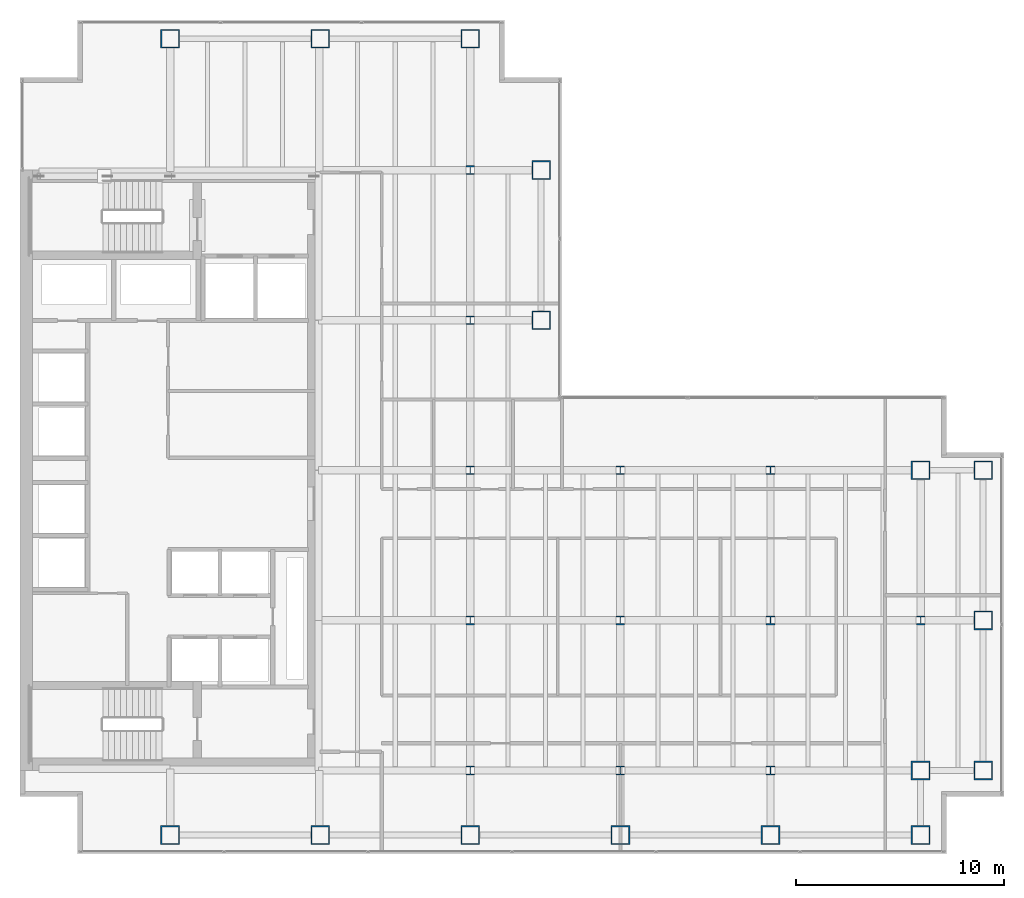
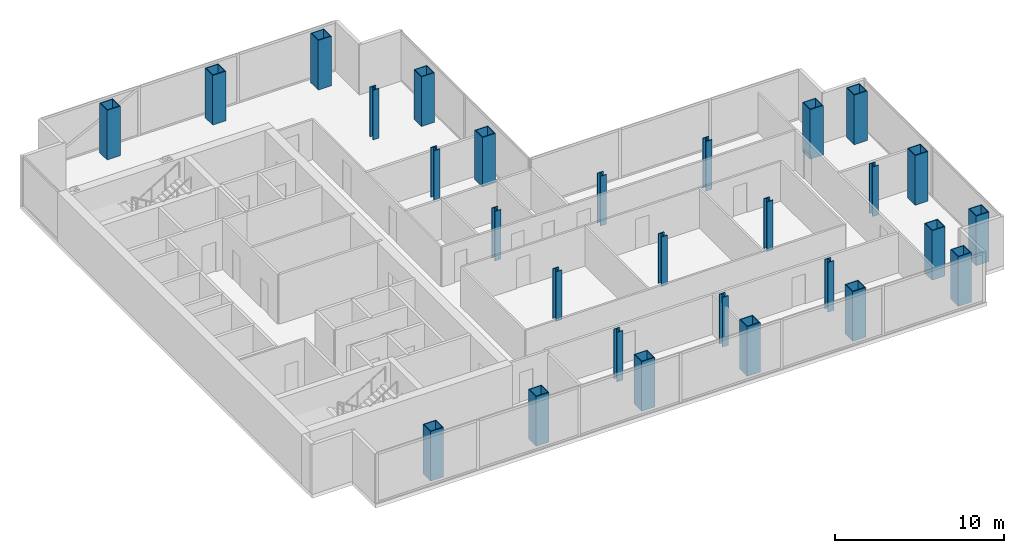
# One storey, part 1 of 23: 28 columns.
"""IFC4 building model written with IfcOpenShell, lengths in metres."""

import ifcopenshell
import ifcopenshell.guid

model = None  # the IFC model being written
_history = None  # IfcOwnerHistory: only IFC2X3 demands one
_inside = {}  # id of a spatial element -> (the spatial element, [elements in it])
_under = {}  # id of a project, library or spatial element -> (it, [spatial elements below it])
_declared = {}  # id of a project -> (the project, [libraries it declares])
_typed = {}  # id of a type object -> (the type object, [elements of that type])
_made_of = {}  # id of a material, layer set ... -> (it, [elements and type objects made of it])


def new_model(schema):
    """Start an empty IFC model of exactly this schema.

    Asked for "IFC4X3", IfcOpenShell would pick the latest addendum, in which some entities
    have other attributes; the version numbers below select the first issue.
    IFC2X3 requires an IfcOwnerHistory on every rooted entity: one is made here for all.
    """
    global model, _history
    if schema == "IFC4X3":
        model = ifcopenshell.file(schema_version=(4, 3, 0, 0))
    else:
        model = ifcopenshell.file(schema=schema)
    _inside.clear()
    _under.clear()
    _declared.clear()
    _typed.clear()
    _made_of.clear()
    _history = None
    if model.schema == "IFC2X3":
        org = make("IfcOrganization", Name="unknown")
        user = make(
            "IfcPersonAndOrganization",
            ThePerson=make("IfcPerson", FamilyName="unknown"),
            TheOrganization=org,
        )
        app = make(
            "IfcApplication",
            ApplicationDeveloper=org,
            Version="unknown",
            ApplicationFullName="unknown",
            ApplicationIdentifier="unknown",
        )
        _history = make(
            "IfcOwnerHistory",
            OwningUser=user,
            OwningApplication=app,
            ChangeAction="ADDED",
            CreationDate=0,
        )
    return model


def make(cls, **values):
    """One entity of the class cls with the attributes given. An attribute that is None is left unset."""
    return model.create_entity(
        cls, **{name: value for name, value in values.items() if value is not None}
    )


def rooted(cls, **values):
    """An entity with a GlobalId (a new one), such as an element, a storey or a relation."""
    return make(cls, GlobalId=ifcopenshell.guid.new(), OwnerHistory=_history, **values)


def si_unit(unit_type, name, prefix=None):
    """IfcSIUnit, for example si_unit("LENGTHUNIT", "METRE", prefix="MILLI")."""
    return make("IfcSIUnit", UnitType=unit_type, Prefix=prefix, Name=name)


def assignment(units):
    """IfcUnitAssignment: the units of a project."""
    return None if units is None else make("IfcUnitAssignment", Units=units)


def point(xyz):
    """IfcCartesianPoint."""
    return None if xyz is None else make("IfcCartesianPoint", Coordinates=xyz)


def direction(xyz):
    """IfcDirection."""
    return None if xyz is None else make("IfcDirection", DirectionRatios=xyz)


def frame(location, z_axis=None, x_axis=None):
    """IfcAxis2Placement3D, a coordinate frame: its origin and axes. An axis left out is left unset."""
    return make(
        "IfcAxis2Placement3D",
        Location=point(location),
        Axis=direction(z_axis),
        RefDirection=direction(x_axis),
    )


def frame_2d(location, x_axis=None):
    """IfcAxis2Placement2D, a coordinate frame in the plane: its origin and x axis."""
    return make(
        "IfcAxis2Placement2D", Location=point(location), RefDirection=direction(x_axis)
    )


def origin():
    """The frame at (0, 0, 0) with its axes left unset."""
    return frame((0.0, 0.0, 0.0))


def origin_2d():
    """The frame at (0, 0) in the plane with its x axis left unset."""
    return frame_2d((0.0, 0.0))


def place(relative_to, where):
    """IfcLocalPlacement: puts the frame where relative to a parent placement (None: the world)."""
    return make(
        "IfcLocalPlacement", PlacementRelTo=relative_to, RelativePlacement=where
    )


def context(
    kind, dimensions, precision=None, world=None, true_north=None, identifier=None
):
    """IfcGeometricRepresentationContext, for example the 3D "Model" context."""
    return make(
        "IfcGeometricRepresentationContext",
        ContextIdentifier=identifier,
        ContextType=kind,
        CoordinateSpaceDimension=dimensions,
        Precision=precision,
        WorldCoordinateSystem=world,
        TrueNorth=true_north,
    )


def subcontext(parent, identifier, kind, view, scale=None):
    """IfcGeometricRepresentationSubContext, for example "Body" below "Model"."""
    return make(
        "IfcGeometricRepresentationSubContext",
        ContextIdentifier=identifier,
        ContextType=kind,
        ParentContext=parent,
        TargetScale=scale,
        TargetView=view,
    )


def project(units=None, contexts=None):
    """IfcProject with its units and contexts."""
    return rooted(
        "IfcProject",
        Name="project",
        RepresentationContexts=contexts,
        UnitsInContext=assignment(units),
    )


def spatial(cls, under=None, at=None, **own):
    """A site, building, storey or space (cls), placed at a placement, below another one or the project."""
    s = rooted(cls, ObjectPlacement=at, **own)
    if under is not None:
        _under.setdefault(under.id(), (under, []))[1].append(s)
    return s


def profile(cls, at=None, kind="AREA", **sizes):
    """A parametric profile (cls). Its sizes go by their IFC names, for example OverallWidth=200.0."""
    return make(cls, ProfileType=kind, Position=at, **sizes)


def hollow_rectangle(**sizes):
    """IfcRectangleHollowProfileDef."""
    return profile("IfcRectangleHollowProfileDef", **sizes)


def i_section(**sizes):
    """IfcIShapeProfileDef."""
    return profile("IfcIShapeProfileDef", **sizes)


def extrude(swept, where, along, depth):
    """IfcExtrudedAreaSolid: the profile swept, set in the frame where, extruded along a direction by depth."""
    return make(
        "IfcExtrudedAreaSolid",
        SweptArea=swept,
        Position=where,
        ExtrudedDirection=direction(along),
        Depth=depth,
    )


def shape(context_of_items, identifier, shape_type, items):
    """IfcShapeRepresentation: the items that make up one representation, for example the "Body"."""
    return make(
        "IfcShapeRepresentation",
        ContextOfItems=context_of_items,
        RepresentationIdentifier=identifier,
        RepresentationType=shape_type,
        Items=items,
    )


def material(Name=None, Category=None):
    """IfcMaterial."""
    return make("IfcMaterial", Name=Name, Category=Category)


def material_profile(
    of_material, cross_section, Name=None, Category=None, Priority=None
):
    """IfcMaterialProfile: a cross section and its material."""
    return make(
        "IfcMaterialProfile",
        Name=Name,
        Material=of_material,
        Profile=cross_section,
        Priority=Priority,
        Category=Category,
    )


def profile_set(profiles, Name=None, composite=None):
    """IfcMaterialProfileSet."""
    return make(
        "IfcMaterialProfileSet",
        Name=Name,
        MaterialProfiles=profiles,
        CompositeProfile=composite,
    )


def made_of(thing, what):
    """Note that an element or type object is made of a material, layer set ...; save() writes the relation."""
    if what is not None:
        _made_of.setdefault(what.id(), (what, []))[1].append(thing)
    return thing


def type_object(cls, material=None, **own):
    """A type object (cls), such as IfcWallType, which elements share."""
    return made_of(rooted(cls, **own), material)


def element(
    cls,
    number,
    at=None,
    inside=None,
    cuts=None,
    type_object=None,
    material=None,
    context=None,
    identifier="Body",
    shape_type=None,
    held_by="IfcProductDefinitionShape",
    body=None,
    shapes=None,
    **own,
):
    """One element of the class cls, such as IfcWall. Its Tag is "e" and its number.

    at: its placement. inside: the storey or other place that contains it. cuts: it is an
    opening in that element (IfcRelVoidsElement). A single representation is given by context,
    identifier, shape_type and body (its items); several are given by shapes. held_by: the class
    of the entity that holds the representations. save() writes the other relations.
    """
    e = rooted(cls, Tag="e%d" % number, ObjectPlacement=at, **own)
    if body is not None:
        shapes = [shape(context, identifier, shape_type, body)]
    if shapes is not None:
        e.Representation = make(held_by, Representations=shapes)
    if inside is not None:
        _inside.setdefault(inside.id(), (inside, []))[1].append(e)
    if cuts is not None:
        rooted(
            "IfcRelVoidsElement", RelatingBuildingElement=cuts, RelatedOpeningElement=e
        )
    if type_object is not None:
        _typed.setdefault(type_object.id(), (type_object, []))[1].append(e)
    return made_of(e, material)


def aggregate(whole, parts):
    """IfcRelAggregates: a whole, such as a stair, and the parts it consists of."""
    return rooted("IfcRelAggregates", RelatingObject=whole, RelatedObjects=parts)


def save(model, path):
    """Write the relations noted so far, then the file.

    IfcRelAggregates (storeys below a building ...), IfcRelContainedInSpatialStructure (elements
    in a storey), IfcRelDefinesByType, IfcRelAssociatesMaterial and IfcRelDeclares: one each for
    every whole, place, type object, material and project.
    """
    for whole, parts in _under.values():
        aggregate(whole, parts)
    for where, things in _inside.values():
        rooted(
            "IfcRelContainedInSpatialStructure",
            RelatedElements=things,
            RelatingStructure=where,
        )
    for kind, things in _typed.values():
        rooted("IfcRelDefinesByType", RelatedObjects=things, RelatingType=kind)
    for what, things in _made_of.values():
        rooted("IfcRelAssociatesMaterial", RelatedObjects=things, RelatingMaterial=what)
    for by, libraries in _declared.values():
        rooted("IfcRelDeclares", RelatingContext=by, RelatedDefinitions=libraries)
    model.write(path)


model = new_model("IFC4")

# Units and contexts
model_context = context("Model", 3, precision=1e-05, world=origin(), true_north=direction((0.0, 1.0)))
body_context = subcontext(model_context, "Body", "Model", "MODEL_VIEW")
ifc_project = project(units=[si_unit("LENGTHUNIT", "METRE"), si_unit("AREAUNIT", "SQUARE_METRE"), si_unit("VOLUMEUNIT", "CUBIC_METRE"), si_unit("PLANEANGLEUNIT", "RADIAN"), si_unit("MASSUNIT", "GRAM", prefix="KILO")], contexts=[model_context])

# Site, building, storey
site_placement = place(None, origin())
site = spatial("IfcSite", under=ifc_project, at=site_placement, CompositionType="ELEMENT")
building_placement = place(site_placement, origin())
building = spatial("IfcBuilding", under=site, at=building_placement, Name="Cobrela Telecom Tower", CompositionType="ELEMENT")
storey_placement = place(building_placement, frame((0.0, 0.0, 125.300048828125)))
storey = spatial("IfcBuildingStorey", under=building, at=storey_placement, Name="L31", CompositionType="ELEMENT", Elevation=125.300048828125)

# Columns
ifc_material_1 = material(Name="Steel ASTM A992 Grade 50", Category="steel")
ifc_material_profile_1 = material_profile(ifc_material_1, i_section(OverallWidth=0.408935546875, OverallDepth=0.424072265625, WebThickness=0.03271484375, FlangeThickness=0.052490234375, FilletRadius=0.01806640625, at=origin_2d()), Name="W14X283")
ifc_profile_set_1 = profile_set([ifc_material_profile_1], Name="Steel ASTM A992 Grade 50")
column_type_1 = type_object("IfcColumnType", Name="COL-INT-05", PredefinedType="COLUMN", material=ifc_profile_set_1)
for number, where, z_axis, x_axis, name in (
    (1, (21.60009765625, 7.199951171875, 0.0), (0.0, 0.0, 1.0), (1.0, 0.0, 0.0), "L31 Interior Column 06"),
    (2, (21.60009765625, 14.39990234375, 0.0), (0.0, 0.0, 1.0), (1.0, 0.0, 0.0), "L31 Interior Column 07"),
    (3, (21.60009765625, 21.60009765625, 0.0), (0.0, 0.0, 1.0), (1.0, 0.0, 0.0), "L31 Interior Column 08"),
    (4, (21.60009765625, 28.800048828125, 0.0), (0.0, 0.0, 1.0), (1.0, 0.0, 0.0), "L31 Interior Column 09"),
    (5, (21.60009765625, 36.0, 0.0), (0.0, 0.0, 1.0), (1.0, 0.0, 0.0), "L31 Interior Column 10"),
    (6, (28.800048828125, 7.199951171875, 0.0), (0.0, 0.0, 1.0), (1.0, 0.0, 0.0), "L31 Interior Column 15"),
    (7, (28.800048828125, 14.39990234375, 0.0), (0.0, 0.0, 1.0), (1.0, 0.0, 0.0), "L31 Interior Column 16"),
    (8, (28.800048828125, 21.60009765625, 0.0), (0.0, 0.0, 1.0), (1.0, 0.0, 0.0), "L31 Interior Column 17"),
    (9, (36.0, 7.199951171875, 0.0), (0.0, 0.0, 1.0), (1.0, 0.0, 0.0), "L31 Interior Column 19"),
    (10, (36.0, 14.39990234375, 0.0), (0.0, 0.0, 1.0), (1.0, 0.0, 0.0), "L31 Interior Column 20"),
    (11, (36.0, 21.60009765625, 0.0), (0.0, 0.0, 1.0), (1.0, 0.0, 0.0), "L31 Interior Column 21"),
    (12, (43.199951171875, 14.39990234375, 0.0), (0.0, 0.0, 1.0), (1.0, 0.0, 0.0), "L31 Interior Column 24"),
):
    element("IfcColumn", number, at=place(storey_placement, frame(where, z_axis=z_axis, x_axis=x_axis)), inside=storey, type_object=column_type_1, Name=name, PredefinedType="COLUMN", context=body_context, shape_type="SweptSolid", body=[
        extrude(i_section(OverallWidth=0.408935546875, OverallDepth=0.424072265625, WebThickness=0.03271484375, FlangeThickness=0.052490234375, FilletRadius=0.01806640625, at=origin_2d()), origin(), (0.0, 0.0, 1.0), 3.579833984375),
    ])
ifc_material_2 = material(Name="Steel ASTM A572 Grade 50", Category="steel")
ifc_material_profile_2 = material_profile(ifc_material_2, hollow_rectangle(XDim=0.89990234375, YDim=0.89990234375, WallThickness=0.054931640625, at=origin_2d()), Name="BOX 900x900x55")
ifc_profile_set_2 = profile_set([ifc_material_profile_2], Name="Steel ASTM A572 Grade 50")
column_type_2 = type_object("IfcColumnType", Name="COL-MEGA-05", PredefinedType="COLUMN", material=ifc_profile_set_2)
for number, where, z_axis, x_axis, name in (
    (13, (7.199951171875, 4.10009765625, 0.0), (0.0, 0.0, 1.0), (1.0, 0.0, 0.0), "L31 Perimeter Mega-Column 01"),
    (14, (7.199951171875, 42.300048828125, 0.0), (0.0, 0.0, 1.0), (1.0, 0.0, 0.0), "L31 Perimeter Mega-Column 02"),
    (15, (14.39990234375, 4.10009765625, 0.0), (0.0, 0.0, 1.0), (1.0, 0.0, 0.0), "L31 Perimeter Mega-Column 03"),
    (16, (14.39990234375, 42.300048828125, 0.0), (0.0, 0.0, 1.0), (1.0, 0.0, 0.0), "L31 Perimeter Mega-Column 04"),
    (17, (21.60009765625, 4.10009765625, 0.0), (0.0, 0.0, 1.0), (1.0, 0.0, 0.0), "L31 Perimeter Mega-Column 05"),
    (18, (21.60009765625, 42.300048828125, 0.0), (0.0, 0.0, 1.0), (1.0, 0.0, 0.0), "L31 Perimeter Mega-Column 11"),
    (19, (25.0, 28.800048828125, 0.0), (0.0, 0.0, 1.0), (1.0, 0.0, 0.0), "L31 Perimeter Mega-Column 12"),
    (20, (25.0, 36.0, 0.0), (0.0, 0.0, 1.0), (1.0, 0.0, 0.0), "L31 Perimeter Mega-Column 13"),
    (21, (28.800048828125, 4.10009765625, 0.0), (0.0, 0.0, 1.0), (1.0, 0.0, 0.0), "L31 Perimeter Mega-Column 14"),
    (22, (36.0, 4.10009765625, 0.0), (0.0, 0.0, 1.0), (1.0, 0.0, 0.0), "L31 Perimeter Mega-Column 18"),
    (23, (43.199951171875, 4.10009765625, 0.0), (0.0, 0.0, 1.0), (1.0, 0.0, 0.0), "L31 Perimeter Mega-Column 22"),
    (24, (43.199951171875, 7.199951171875, 0.0), (0.0, 0.0, 1.0), (1.0, 0.0, 0.0), "L31 Perimeter Mega-Column 23"),
    (25, (43.199951171875, 21.60009765625, 0.0), (0.0, 0.0, 1.0), (1.0, 0.0, 0.0), "L31 Perimeter Mega-Column 25"),
    (26, (46.199951171875, 7.199951171875, 0.0), (0.0, 0.0, 1.0), (1.0, 0.0, 0.0), "L31 Perimeter Mega-Column 26"),
    (27, (46.199951171875, 14.39990234375, 0.0), (0.0, 0.0, 1.0), (1.0, 0.0, 0.0), "L31 Perimeter Mega-Column 27"),
    (28, (46.199951171875, 21.60009765625, 0.0), (0.0, 0.0, 1.0), (1.0, 0.0, 0.0), "L31 Perimeter Mega-Column 28"),
):
    element("IfcColumn", number, at=place(storey_placement, frame(where, z_axis=z_axis, x_axis=x_axis)), inside=storey, type_object=column_type_2, Name=name, PredefinedType="COLUMN", context=body_context, shape_type="SweptSolid", body=[
        extrude(hollow_rectangle(XDim=0.89990234375, YDim=0.89990234375, WallThickness=0.054931640625, at=origin_2d()), origin(), (0.0, 0.0, 1.0), 3.579833984375),
    ])

save(model, "model.ifc")
